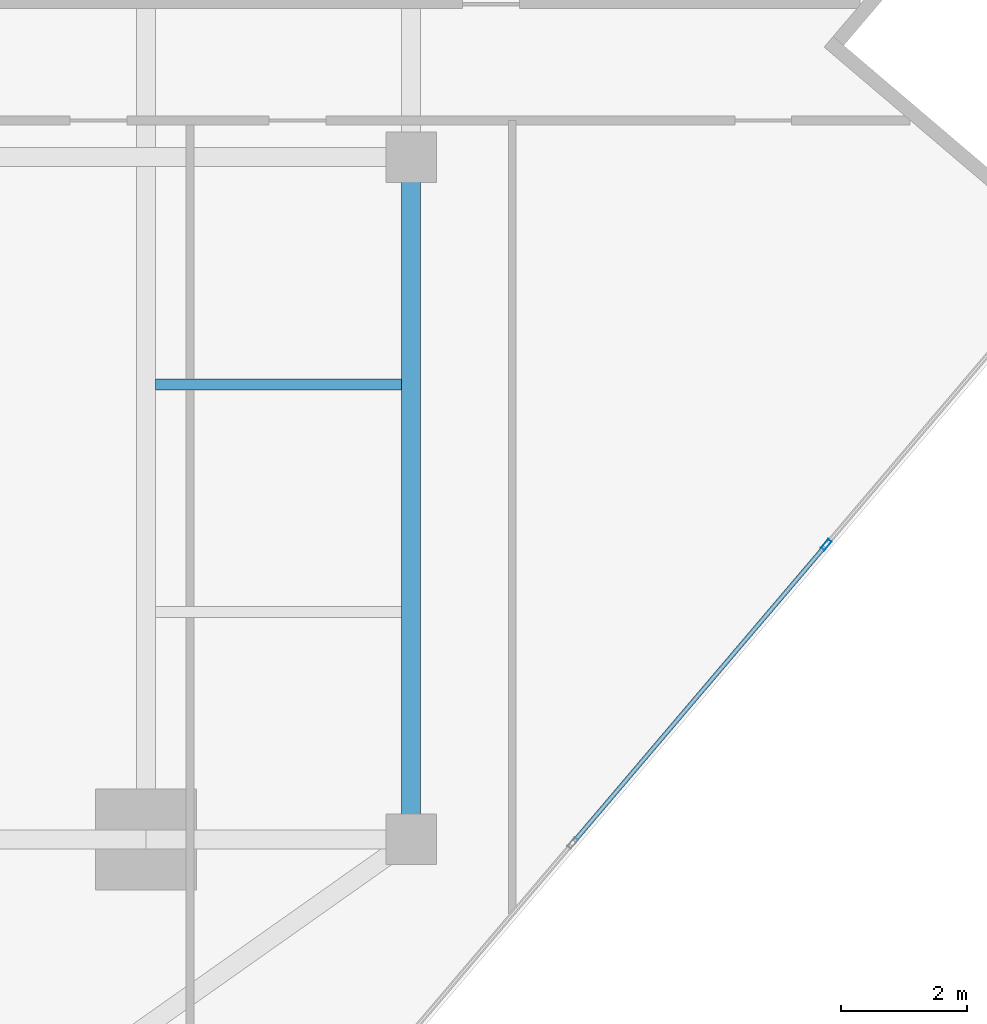
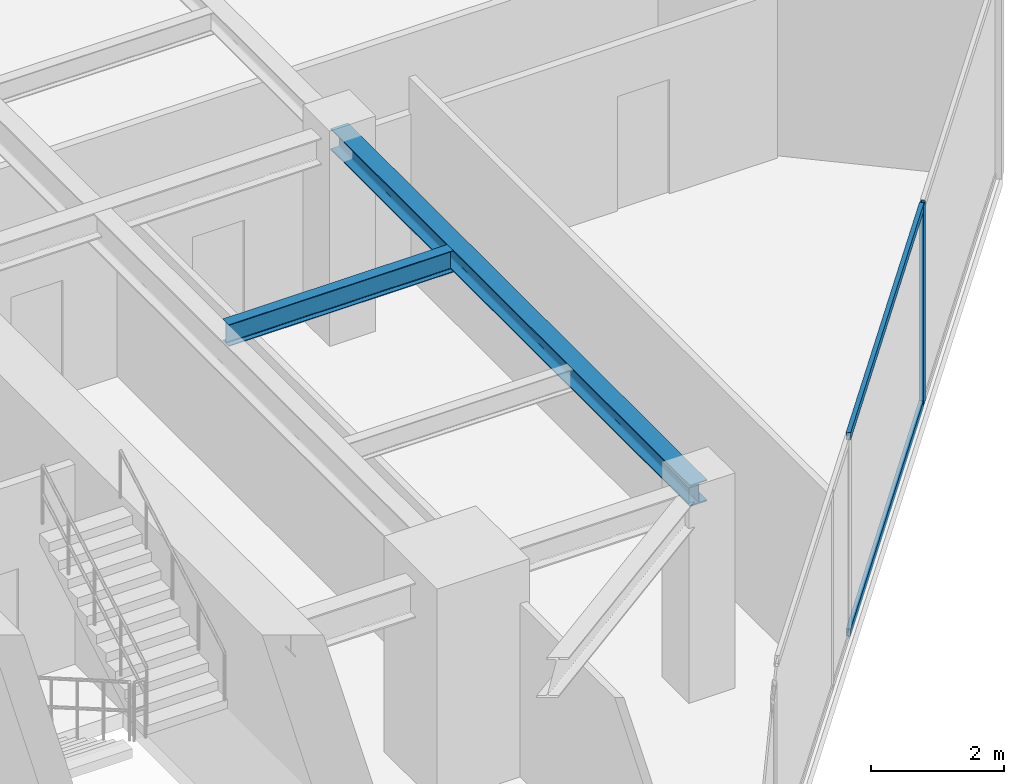
# One storey, part 11 of 26: 3 members, 2 beams, 1 element without a shape of its own.
"""IFC4 building model written with IfcOpenShell, lengths in metres."""

from ifc_helpers import new_model, si_unit, direction, frame, origin, origin_2d, place, context, subcontext, project, spatial, hollow_rectangle, i_section, extrude, source, transform, mapped, material, material_profile, profile_set, type_object, type_shapes, element, aggregate, save


model = new_model("IFC4")

# Units and contexts
model_context = context("Model", 3, precision=1e-05, world=origin(), true_north=direction((0.0, 1.0)))
body_context = subcontext(model_context, "Body", "Model", "MODEL_VIEW")
ifc_project = project(units=[si_unit("LENGTHUNIT", "METRE"), si_unit("AREAUNIT", "SQUARE_METRE"), si_unit("VOLUMEUNIT", "CUBIC_METRE"), si_unit("PLANEANGLEUNIT", "RADIAN"), si_unit("MASSUNIT", "GRAM", prefix="KILO")], contexts=[model_context])

# Site, building, storey
site_placement = place(None, origin())
site = spatial("IfcSite", under=ifc_project, at=site_placement, CompositionType="ELEMENT")
building_placement = place(site_placement, origin())
building = spatial("IfcBuilding", under=site, at=building_placement, Name="Krantzveldt Concourse Tower", CompositionType="ELEMENT")
storey_placement = place(building_placement, frame((0.0, 0.0, 207.300048828125)))
storey = spatial("IfcBuildingStorey", under=building, at=storey_placement, Name="L50", CompositionType="ELEMENT", Elevation=207.300048828125)

# Beams
ifc_material_1 = material(Name="Steel S355JR", Category="steel")
ifc_material_profile_1 = material_profile(ifc_material_1, i_section(OverallWidth=0.300048828125, OverallDepth=0.389892578125, WebThickness=0.010986328125, FlangeThickness=0.01904296875, FilletRadius=0.027099609375, at=origin_2d()), Name="Steel S355JR", Category="steel")
ifc_profile_set_1 = profile_set([ifc_material_profile_1], Name="Steel S355JR - HEA 400")
beam_type_1 = type_object("IfcBeamType", Name="BM-SP-HEA400", PredefinedType="SPANDREL", material=ifc_profile_set_1)
shared_shape_1 = source(origin(), body_context, "Body", "SweptSolid", [
    extrude(i_section(OverallWidth=0.300048828125, OverallDepth=0.389892578125, WebThickness=0.010986328125, FlangeThickness=0.01904296875, FilletRadius=0.027099609375, at=origin_2d()), origin(), (0.0, 0.0, 1.0), 10.800048828125),
])
type_shapes(beam_type_1, [shared_shape_1])
beam_1_placement = place(storey_placement, frame((51.0, 26.699951171875, 3.474853515625), z_axis=(0.0, -1.0, 0.0), x_axis=(1.0, 0.0, 0.0)))
element("IfcBeam", 1, at=beam_1_placement, inside=storey, type_object=beam_type_1, Name="L50 Tower Girder SP-R07", PredefinedType="SPANDREL", context=body_context, shape_type="MappedRepresentation", body=[
    mapped(shared_shape_1, transform((0.0, 0.0, 0.0), x_axis=(1.0, 0.0, 0.0), y_axis=(0.0, 1.0, 0.0), z_axis=(0.0, 0.0, 1.0), scale=1.0)),
])
ifc_material_profile_2 = material_profile(ifc_material_1, i_section(OverallWidth=0.179931640625, OverallDepth=0.39990234375, WebThickness=0.008544921875, FlangeThickness=0.013427734375, FilletRadius=0.02099609375, at=origin_2d()), Name="Steel S355JR", Category="steel")
ifc_profile_set_2 = profile_set([ifc_material_profile_2], Name="Steel S355JR - IPE 400")
beam_type_2 = type_object("IfcBeamType", Name="BM-J-IPE400", PredefinedType="JOIST", material=ifc_profile_set_2)
shared_shape_2 = source(origin(), body_context, "Body", "SweptSolid", [
    extrude(i_section(OverallWidth=0.179931640625, OverallDepth=0.39990234375, WebThickness=0.008544921875, FlangeThickness=0.013427734375, FilletRadius=0.02099609375, at=origin_2d()), origin(), (0.0, 0.0, 1.0), 3.900146484375),
])
type_shapes(beam_type_2, [shared_shape_2])
beam_2_placement = place(storey_placement, frame((46.949951171875, 23.10009765625, 3.469970703125), z_axis=(1.0, 0.0, 0.0), x_axis=(0.0, 1.0, 0.0)))
element("IfcBeam", 2, at=beam_2_placement, inside=storey, type_object=beam_type_2, Name="L50 Secondary Floor Joist JE-2", PredefinedType="JOIST", context=body_context, shape_type="MappedRepresentation", body=[
    mapped(shared_shape_2, transform((0.0, 0.0, 0.0), x_axis=(1.0, 0.0, 0.0), y_axis=(0.0, 1.0, 0.0), z_axis=(0.0, 0.0, 1.0), scale=1.0)),
])

# Curtain wall, members
ifc_material_2 = material(Name="Anodised aluminium 6063-T6", Category="aluminium")
curtain_wall_type = type_object("IfcCurtainWallType", Name="CW3", PredefinedType="USERDEFINED", material=ifc_material_2)
curtain_wall_placement = place(storey_placement, origin())
curtain_wall = element("IfcCurtainWall", 3, at=curtain_wall_placement, inside=storey, type_object=curtain_wall_type, Name="CW-L50-F07", ObjectType="UNITISED CURTAIN WALL", PredefinedType="USERDEFINED")
ifc_material_profile_3 = material_profile(ifc_material_2, hollow_rectangle(XDim=0.070068359375, YDim=0.179931640625, WallThickness=0.0048828125, at=origin_2d()), Name="Anodised aluminium 6063-T6", Category="aluminium")
ifc_profile_set_3 = profile_set([ifc_material_profile_3], Name="Anodised aluminium 6063-T6 - ALU-MULL 180x70x5")
member_type_1 = type_object("IfcMemberType", Name="CW-MUL-180", PredefinedType="MULLION", material=ifc_profile_set_3)
shared_shape_3 = source(origin(), body_context, "Body", "SweptSolid", [
    extrude(hollow_rectangle(XDim=0.070068359375, YDim=0.179931640625, WallThickness=0.0048828125, at=origin_2d()), origin(), (0.0, 0.0, 1.0), 3.669921875),
])
type_shapes(member_type_1, [shared_shape_3])
member_1_placement = place(storey_placement, frame((57.5732421875, 20.5634765625, 0.0), z_axis=(0.0, 0.0, 1.0), x_axis=(-0.761820912327, 0.647787694805, 0.0)))
member_1 = element("IfcMember", 4, at=member_1_placement, type_object=member_type_1, Name="CW-Z34 mullion 5", PredefinedType="MULLION", context=body_context, shape_type="MappedRepresentation", body=[
    mapped(shared_shape_3, transform((0.0, 0.0, 0.0), x_axis=(1.0, 0.0, 0.0), y_axis=(0.0, 1.0, 0.0), z_axis=(0.0, 0.0, 1.0), scale=1.0)),
])
ifc_material_profile_4 = material_profile(ifc_material_2, hollow_rectangle(XDim=0.070068359375, YDim=0.139892578125, WallThickness=0.0048828125, at=origin_2d()), Name="Anodised aluminium 6063-T6", Category="aluminium")
ifc_profile_set_4 = profile_set([ifc_material_profile_4], Name="Anodised aluminium 6063-T6 - ALU-TRAN 140x70x5")
member_type_2 = type_object("IfcMemberType", Name="CW-TRN-150", PredefinedType="USERDEFINED", material=ifc_profile_set_4)
shared_shape_4 = source(origin(), body_context, "Body", "SweptSolid", [
    extrude(hollow_rectangle(XDim=0.070068359375, YDim=0.139892578125, WallThickness=0.0048828125, at=origin_2d()), origin(), (0.0, 0.0, 1.0), 6.1298828125),
])
type_shapes(member_type_2, [shared_shape_4])
member_2_placement = place(storey_placement, frame((53.57958984375, 15.866943359375, 0.034912109375), z_axis=(0.647791763952, 0.761817452252, 0.0), x_axis=(-0.761817452252, 0.647791763952, 0.0)))
member_2 = element("IfcMember", 5, at=member_2_placement, type_object=member_type_2, Name="CW-Z34 transom 4.1", ObjectType="TRANSOM", PredefinedType="USERDEFINED", context=body_context, shape_type="MappedRepresentation", body=[
    mapped(shared_shape_4, transform((0.0, 0.0, 0.0), x_axis=(1.0, 0.0, 0.0), y_axis=(0.0, 1.0, 0.0), z_axis=(0.0, 0.0, 1.0), scale=1.0)),
])
member_3_placement = place(storey_placement, frame((53.57958984375, 15.866943359375, 3.635009765625), z_axis=(0.647791763952, 0.761817452252, 0.0), x_axis=(-0.761817452252, 0.647791763952, 0.0)))
member_3 = element("IfcMember", 6, at=member_3_placement, type_object=member_type_2, Name="CW-Z34 transom 4.2", ObjectType="TRANSOM", PredefinedType="USERDEFINED", context=body_context, shape_type="MappedRepresentation", body=[
    mapped(shared_shape_4, transform((0.0, 0.0, 0.0), x_axis=(1.0, 0.0, 0.0), y_axis=(0.0, 1.0, 0.0), z_axis=(0.0, 0.0, 1.0), scale=1.0)),
])
aggregate(curtain_wall, [member_1, member_2, member_3])

save(model, "model.ifc")
